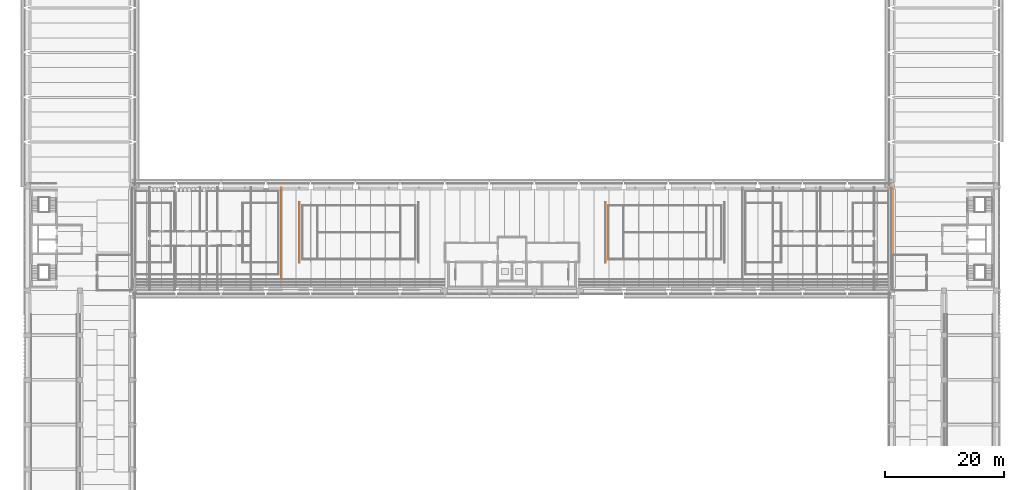
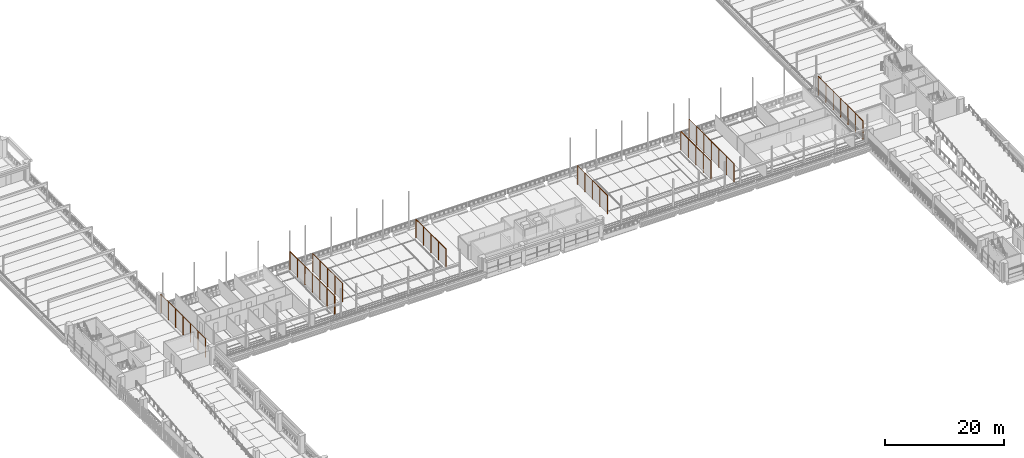
# One storey, part 62 of 62: 8 proxies.
"""IFC4 building model written with IfcOpenShell, lengths in metres."""

from ifc_helpers import new_model, si_unit, direction, frame, origin, origin_2d, place, context, subcontext, project, spatial, circle, extrude, material, type_object, element, save


model = new_model("IFC4")

# Units and contexts
model_context = context("Model", 3, precision=1e-05, world=origin(), true_north=direction((0.0, 1.0)))
body_context = subcontext(model_context, "Body", "Model", "MODEL_VIEW")
ifc_project = project(units=[si_unit("LENGTHUNIT", "METRE"), si_unit("AREAUNIT", "SQUARE_METRE"), si_unit("VOLUMEUNIT", "CUBIC_METRE"), si_unit("PLANEANGLEUNIT", "RADIAN"), si_unit("MASSUNIT", "GRAM", prefix="KILO")], contexts=[model_context])

# Site, building, storey
site_placement = place(None, origin())
site = spatial("IfcSite", under=ifc_project, at=site_placement, CompositionType="ELEMENT")
building_placement = place(site_placement, origin())
building = spatial("IfcBuilding", under=site, at=building_placement, Name="Cour d'Honneur Mobility Palace", CompositionType="ELEMENT")
storey_placement = place(building_placement, frame((0.0, 0.0, 19.300048828125)))
storey = spatial("IfcBuildingStorey", under=building, at=storey_placement, Name="L05", CompositionType="ELEMENT", Elevation=19.300048828125)

# Proxies
ifc_material = material(Name="Ball-stop fence")
building_element_proxy_type = type_object("IfcBuildingElementProxyType", Name="Ball-stop fence", PredefinedType="USERDEFINED", material=ifc_material)
for number, where, name in (
    (1, (17.5, 47.199951171875, 0.0), "Ball-stop fence FW-1"),
    (2, (42.5, 47.199951171875, 0.0), "Ball-stop fence FW-2"),
):
    element("IfcBuildingElementProxy", number, at=place(storey_placement, frame(where)), inside=storey, type_object=building_element_proxy_type, Name=name, ObjectType="BALL-STOP FENCE", PredefinedType="USERDEFINED", context=body_context, shape_type="SweptSolid", body=[
        extrude(circle(Radius=0.030029296875, at=origin_2d()), frame((0.0, 0.0, 3.77001953125), z_axis=(0.0, 1.0, 0.0), x_axis=(-1.0, 0.0, 0.0)), (0.0, 0.0, 1.0), 15.0),
        extrude(circle(Radius=0.050048828125, at=origin_2d()), origin(), (0.0, 0.0, 1.0), 3.739990234375),
        extrude(circle(Radius=0.050048828125, at=origin_2d()), frame((0.0, 2.5, 0.0)), (0.0, 0.0, 1.0), 3.739990234375),
        extrude(circle(Radius=0.050048828125, at=origin_2d()), frame((0.0, 5.0, 0.0)), (0.0, 0.0, 1.0), 3.739990234375),
        extrude(circle(Radius=0.050048828125, at=origin_2d()), frame((0.0, 7.5, 0.0)), (0.0, 0.0, 1.0), 3.739990234375),
        extrude(circle(Radius=0.050048828125, at=origin_2d()), frame((0.0, 10.0, 0.0)), (0.0, 0.0, 1.0), 3.739990234375),
        extrude(circle(Radius=0.050048828125, at=origin_2d()), frame((0.0, 12.5, 0.0)), (0.0, 0.0, 1.0), 3.739990234375),
        extrude(circle(Radius=0.050048828125, at=origin_2d()), frame((0.0, 15.0, 0.0)), (0.0, 0.0, 1.0), 3.739990234375),
    ])
for number, where, name in (
    (3, (45.5, 49.75, 0.0), "Ball-stop fence PW-3"),
    (4, (65.5, 49.75, 0.0), "Ball-stop fence PW-4"),
):
    element("IfcBuildingElementProxy", number, at=place(storey_placement, frame(where)), inside=storey, type_object=building_element_proxy_type, Name=name, ObjectType="BALL-STOP FENCE", PredefinedType="USERDEFINED", context=body_context, shape_type="SweptSolid", body=[
        extrude(circle(Radius=0.030029296875, at=origin_2d()), frame((0.0, 0.0, 3.77001953125), z_axis=(0.0, 1.0, 0.0), x_axis=(-1.0, 0.0, 0.0)), (0.0, 0.0, 1.0), 10.0),
        extrude(circle(Radius=0.050048828125, at=origin_2d()), origin(), (0.0, 0.0, 1.0), 3.739990234375),
        extrude(circle(Radius=0.050048828125, at=origin_2d()), frame((0.0, 2.5, 0.0)), (0.0, 0.0, 1.0), 3.739990234375),
        extrude(circle(Radius=0.050048828125, at=origin_2d()), frame((0.0, 5.0, 0.0)), (0.0, 0.0, 1.0), 3.739990234375),
        extrude(circle(Radius=0.050048828125, at=origin_2d()), frame((0.0, 7.5, 0.0)), (0.0, 0.0, 1.0), 3.739990234375),
        extrude(circle(Radius=0.050048828125, at=origin_2d()), frame((0.0, 10.0, 0.0)), (0.0, 0.0, 1.0), 3.739990234375),
    ])
for number, where, name in (
    (5, (119.800048828125, 47.199951171875, 0.0), "Ball-stop fence FE-5"),
    (6, (144.800048828125, 47.199951171875, 0.0), "Ball-stop fence FE-6"),
):
    element("IfcBuildingElementProxy", number, at=place(storey_placement, frame(where)), inside=storey, type_object=building_element_proxy_type, Name=name, ObjectType="BALL-STOP FENCE", PredefinedType="USERDEFINED", context=body_context, shape_type="SweptSolid", body=[
        extrude(circle(Radius=0.030029296875, at=origin_2d()), frame((0.0, 0.0, 3.77001953125), z_axis=(0.0, 1.0, 0.0), x_axis=(-1.0, 0.0, 0.0)), (0.0, 0.0, 1.0), 15.0),
        extrude(circle(Radius=0.050048828125, at=origin_2d()), origin(), (0.0, 0.0, 1.0), 3.739990234375),
        extrude(circle(Radius=0.050048828125, at=origin_2d()), frame((0.0, 2.5, 0.0)), (0.0, 0.0, 1.0), 3.739990234375),
        extrude(circle(Radius=0.050048828125, at=origin_2d()), frame((0.0, 5.0, 0.0)), (0.0, 0.0, 1.0), 3.739990234375),
        extrude(circle(Radius=0.050048828125, at=origin_2d()), frame((0.0, 7.5, 0.0)), (0.0, 0.0, 1.0), 3.739990234375),
        extrude(circle(Radius=0.050048828125, at=origin_2d()), frame((0.0, 10.0, 0.0)), (0.0, 0.0, 1.0), 3.739990234375),
        extrude(circle(Radius=0.050048828125, at=origin_2d()), frame((0.0, 12.5, 0.0)), (0.0, 0.0, 1.0), 3.739990234375),
        extrude(circle(Radius=0.050048828125, at=origin_2d()), frame((0.0, 15.0, 0.0)), (0.0, 0.0, 1.0), 3.739990234375),
    ])
for number, where, name in (
    (7, (96.800048828125, 49.75, 0.0), "Ball-stop fence PE-7"),
    (8, (116.800048828125, 49.75, 0.0), "Ball-stop fence PE-8"),
):
    element("IfcBuildingElementProxy", number, at=place(storey_placement, frame(where)), inside=storey, type_object=building_element_proxy_type, Name=name, ObjectType="BALL-STOP FENCE", PredefinedType="USERDEFINED", context=body_context, shape_type="SweptSolid", body=[
        extrude(circle(Radius=0.030029296875, at=origin_2d()), frame((0.0, 0.0, 3.77001953125), z_axis=(0.0, 1.0, 0.0), x_axis=(-1.0, 0.0, 0.0)), (0.0, 0.0, 1.0), 10.0),
        extrude(circle(Radius=0.050048828125, at=origin_2d()), origin(), (0.0, 0.0, 1.0), 3.739990234375),
        extrude(circle(Radius=0.050048828125, at=origin_2d()), frame((0.0, 2.5, 0.0)), (0.0, 0.0, 1.0), 3.739990234375),
        extrude(circle(Radius=0.050048828125, at=origin_2d()), frame((0.0, 5.0, 0.0)), (0.0, 0.0, 1.0), 3.739990234375),
        extrude(circle(Radius=0.050048828125, at=origin_2d()), frame((0.0, 7.5, 0.0)), (0.0, 0.0, 1.0), 3.739990234375),
        extrude(circle(Radius=0.050048828125, at=origin_2d()), frame((0.0, 10.0, 0.0)), (0.0, 0.0, 1.0), 3.739990234375),
    ])

save(model, "model.ifc")
